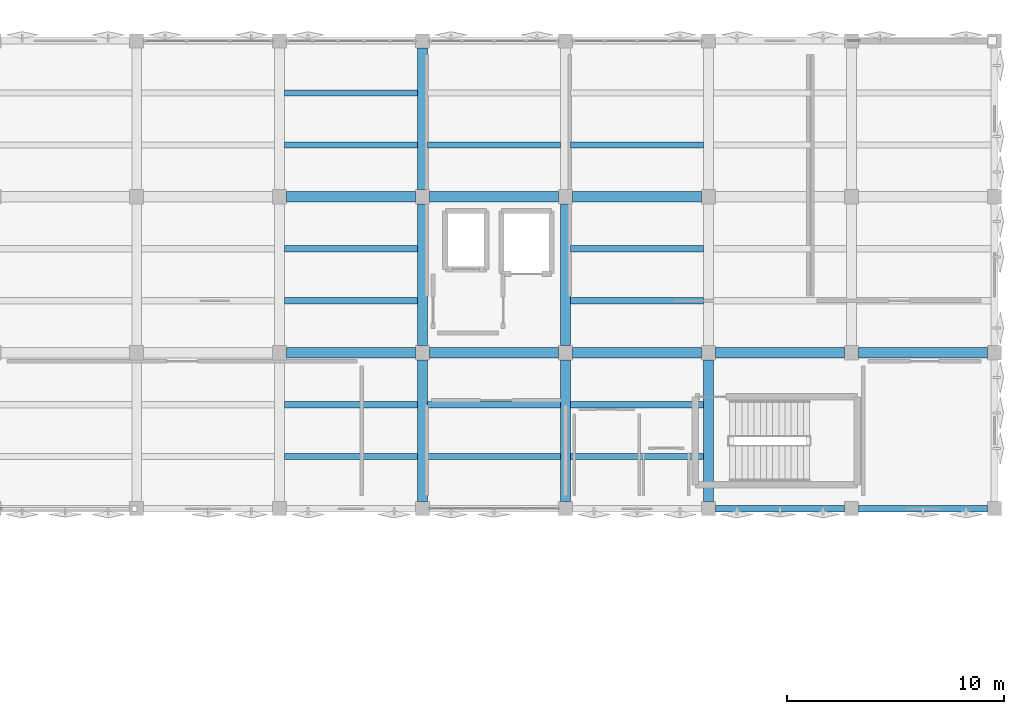
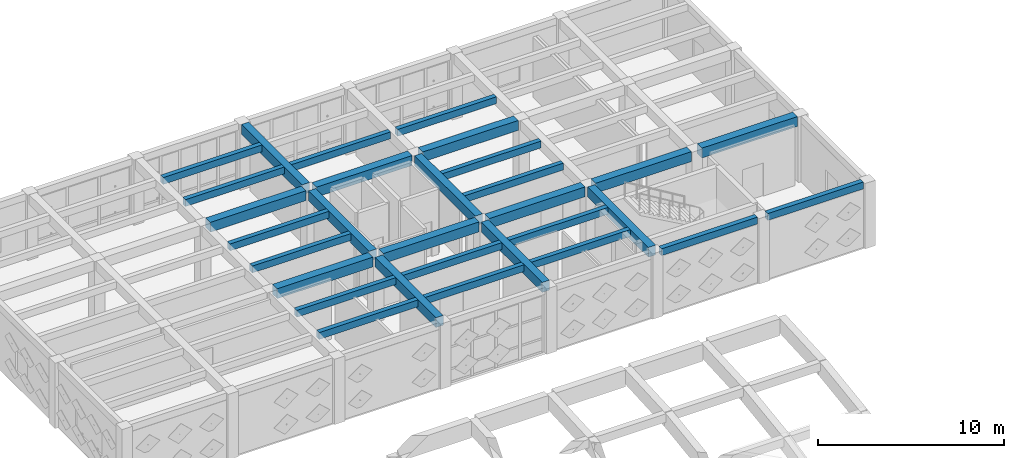
# One storey, part 36 of 67: 30 beams.
"""IFC4 building model written with IfcOpenShell, lengths in metres."""

import ifcopenshell
import ifcopenshell.guid

model = None  # the IFC model being written
_history = None  # IfcOwnerHistory: only IFC2X3 demands one
_inside = {}  # id of a spatial element -> (the spatial element, [elements in it])
_under = {}  # id of a project, library or spatial element -> (it, [spatial elements below it])
_declared = {}  # id of a project -> (the project, [libraries it declares])
_typed = {}  # id of a type object -> (the type object, [elements of that type])
_made_of = {}  # id of a material, layer set ... -> (it, [elements and type objects made of it])


def new_model(schema):
    """Start an empty IFC model of exactly this schema.

    Asked for "IFC4X3", IfcOpenShell would pick the latest addendum, in which some entities
    have other attributes; the version numbers below select the first issue.
    IFC2X3 requires an IfcOwnerHistory on every rooted entity: one is made here for all.
    """
    global model, _history
    if schema == "IFC4X3":
        model = ifcopenshell.file(schema_version=(4, 3, 0, 0))
    else:
        model = ifcopenshell.file(schema=schema)
    _inside.clear()
    _under.clear()
    _declared.clear()
    _typed.clear()
    _made_of.clear()
    _history = None
    if model.schema == "IFC2X3":
        org = make("IfcOrganization", Name="unknown")
        user = make(
            "IfcPersonAndOrganization",
            ThePerson=make("IfcPerson", FamilyName="unknown"),
            TheOrganization=org,
        )
        app = make(
            "IfcApplication",
            ApplicationDeveloper=org,
            Version="unknown",
            ApplicationFullName="unknown",
            ApplicationIdentifier="unknown",
        )
        _history = make(
            "IfcOwnerHistory",
            OwningUser=user,
            OwningApplication=app,
            ChangeAction="ADDED",
            CreationDate=0,
        )
    return model


def make(cls, **values):
    """One entity of the class cls with the attributes given. An attribute that is None is left unset."""
    return model.create_entity(
        cls, **{name: value for name, value in values.items() if value is not None}
    )


def rooted(cls, **values):
    """An entity with a GlobalId (a new one), such as an element, a storey or a relation."""
    return make(cls, GlobalId=ifcopenshell.guid.new(), OwnerHistory=_history, **values)


def si_unit(unit_type, name, prefix=None):
    """IfcSIUnit, for example si_unit("LENGTHUNIT", "METRE", prefix="MILLI")."""
    return make("IfcSIUnit", UnitType=unit_type, Prefix=prefix, Name=name)


def assignment(units):
    """IfcUnitAssignment: the units of a project."""
    return None if units is None else make("IfcUnitAssignment", Units=units)


def point(xyz):
    """IfcCartesianPoint."""
    return None if xyz is None else make("IfcCartesianPoint", Coordinates=xyz)


def direction(xyz):
    """IfcDirection."""
    return None if xyz is None else make("IfcDirection", DirectionRatios=xyz)


def frame(location, z_axis=None, x_axis=None):
    """IfcAxis2Placement3D, a coordinate frame: its origin and axes. An axis left out is left unset."""
    return make(
        "IfcAxis2Placement3D",
        Location=point(location),
        Axis=direction(z_axis),
        RefDirection=direction(x_axis),
    )


def frame_2d(location, x_axis=None):
    """IfcAxis2Placement2D, a coordinate frame in the plane: its origin and x axis."""
    return make(
        "IfcAxis2Placement2D", Location=point(location), RefDirection=direction(x_axis)
    )


def origin():
    """The frame at (0, 0, 0) with its axes left unset."""
    return frame((0.0, 0.0, 0.0))


def origin_2d():
    """The frame at (0, 0) in the plane with its x axis left unset."""
    return frame_2d((0.0, 0.0))


def place(relative_to, where):
    """IfcLocalPlacement: puts the frame where relative to a parent placement (None: the world)."""
    return make(
        "IfcLocalPlacement", PlacementRelTo=relative_to, RelativePlacement=where
    )


def context(
    kind, dimensions, precision=None, world=None, true_north=None, identifier=None
):
    """IfcGeometricRepresentationContext, for example the 3D "Model" context."""
    return make(
        "IfcGeometricRepresentationContext",
        ContextIdentifier=identifier,
        ContextType=kind,
        CoordinateSpaceDimension=dimensions,
        Precision=precision,
        WorldCoordinateSystem=world,
        TrueNorth=true_north,
    )


def subcontext(parent, identifier, kind, view, scale=None):
    """IfcGeometricRepresentationSubContext, for example "Body" below "Model"."""
    return make(
        "IfcGeometricRepresentationSubContext",
        ContextIdentifier=identifier,
        ContextType=kind,
        ParentContext=parent,
        TargetScale=scale,
        TargetView=view,
    )


def project(units=None, contexts=None):
    """IfcProject with its units and contexts."""
    return rooted(
        "IfcProject",
        Name="project",
        RepresentationContexts=contexts,
        UnitsInContext=assignment(units),
    )


def spatial(cls, under=None, at=None, **own):
    """A site, building, storey or space (cls), placed at a placement, below another one or the project."""
    s = rooted(cls, ObjectPlacement=at, **own)
    if under is not None:
        _under.setdefault(under.id(), (under, []))[1].append(s)
    return s


def profile(cls, at=None, kind="AREA", **sizes):
    """A parametric profile (cls). Its sizes go by their IFC names, for example OverallWidth=200.0."""
    return make(cls, ProfileType=kind, Position=at, **sizes)


def rectangle(**sizes):
    """IfcRectangleProfileDef."""
    return profile("IfcRectangleProfileDef", **sizes)


def extrude(swept, where, along, depth):
    """IfcExtrudedAreaSolid: the profile swept, set in the frame where, extruded along a direction by depth."""
    return make(
        "IfcExtrudedAreaSolid",
        SweptArea=swept,
        Position=where,
        ExtrudedDirection=direction(along),
        Depth=depth,
    )


def shape(context_of_items, identifier, shape_type, items):
    """IfcShapeRepresentation: the items that make up one representation, for example the "Body"."""
    return make(
        "IfcShapeRepresentation",
        ContextOfItems=context_of_items,
        RepresentationIdentifier=identifier,
        RepresentationType=shape_type,
        Items=items,
    )


def material(Name=None, Category=None):
    """IfcMaterial."""
    return make("IfcMaterial", Name=Name, Category=Category)


def material_profile(
    of_material, cross_section, Name=None, Category=None, Priority=None
):
    """IfcMaterialProfile: a cross section and its material."""
    return make(
        "IfcMaterialProfile",
        Name=Name,
        Material=of_material,
        Profile=cross_section,
        Priority=Priority,
        Category=Category,
    )


def profile_set(profiles, Name=None, composite=None):
    """IfcMaterialProfileSet."""
    return make(
        "IfcMaterialProfileSet",
        Name=Name,
        MaterialProfiles=profiles,
        CompositeProfile=composite,
    )


def made_of(thing, what):
    """Note that an element or type object is made of a material, layer set ...; save() writes the relation."""
    if what is not None:
        _made_of.setdefault(what.id(), (what, []))[1].append(thing)
    return thing


def type_object(cls, material=None, **own):
    """A type object (cls), such as IfcWallType, which elements share."""
    return made_of(rooted(cls, **own), material)


def element(
    cls,
    number,
    at=None,
    inside=None,
    cuts=None,
    type_object=None,
    material=None,
    context=None,
    identifier="Body",
    shape_type=None,
    held_by="IfcProductDefinitionShape",
    body=None,
    shapes=None,
    **own,
):
    """One element of the class cls, such as IfcWall. Its Tag is "e" and its number.

    at: its placement. inside: the storey or other place that contains it. cuts: it is an
    opening in that element (IfcRelVoidsElement). A single representation is given by context,
    identifier, shape_type and body (its items); several are given by shapes. held_by: the class
    of the entity that holds the representations. save() writes the other relations.
    """
    e = rooted(cls, Tag="e%d" % number, ObjectPlacement=at, **own)
    if body is not None:
        shapes = [shape(context, identifier, shape_type, body)]
    if shapes is not None:
        e.Representation = make(held_by, Representations=shapes)
    if inside is not None:
        _inside.setdefault(inside.id(), (inside, []))[1].append(e)
    if cuts is not None:
        rooted(
            "IfcRelVoidsElement", RelatingBuildingElement=cuts, RelatedOpeningElement=e
        )
    if type_object is not None:
        _typed.setdefault(type_object.id(), (type_object, []))[1].append(e)
    return made_of(e, material)


def aggregate(whole, parts):
    """IfcRelAggregates: a whole, such as a stair, and the parts it consists of."""
    return rooted("IfcRelAggregates", RelatingObject=whole, RelatedObjects=parts)


def save(model, path):
    """Write the relations noted so far, then the file.

    IfcRelAggregates (storeys below a building ...), IfcRelContainedInSpatialStructure (elements
    in a storey), IfcRelDefinesByType, IfcRelAssociatesMaterial and IfcRelDeclares: one each for
    every whole, place, type object, material and project.
    """
    for whole, parts in _under.values():
        aggregate(whole, parts)
    for where, things in _inside.values():
        rooted(
            "IfcRelContainedInSpatialStructure",
            RelatedElements=things,
            RelatingStructure=where,
        )
    for kind, things in _typed.values():
        rooted("IfcRelDefinesByType", RelatedObjects=things, RelatingType=kind)
    for what, things in _made_of.values():
        rooted("IfcRelAssociatesMaterial", RelatedObjects=things, RelatingMaterial=what)
    for by, libraries in _declared.values():
        rooted("IfcRelDeclares", RelatingContext=by, RelatedDefinitions=libraries)
    model.write(path)


model = new_model("IFC4")

# Units and contexts
model_context = context("Model", 3, precision=1e-05, world=origin(), true_north=direction((0.0, 1.0)))
body_context = subcontext(model_context, "Body", "Model", "MODEL_VIEW")
ifc_project = project(units=[si_unit("LENGTHUNIT", "METRE"), si_unit("AREAUNIT", "SQUARE_METRE"), si_unit("VOLUMEUNIT", "CUBIC_METRE"), si_unit("PLANEANGLEUNIT", "RADIAN"), si_unit("MASSUNIT", "GRAM", prefix="KILO")], contexts=[model_context])

# Site, building, storey
site_placement = place(None, origin())
site = spatial("IfcSite", under=ifc_project, at=site_placement, CompositionType="ELEMENT")
building_placement = place(site_placement, origin())
building = spatial("IfcBuilding", under=site, at=building_placement, Name="Kharisveld Research Institute", CompositionType="ELEMENT")
storey_placement = place(building_placement, frame((0.0, 0.0, 9.60009765625)))
storey = spatial("IfcBuildingStorey", under=building, at=storey_placement, Name="L02", CompositionType="ELEMENT", Elevation=9.60009765625)

# Beams
ifc_material_1 = material(Name="Concrete C40/50", Category="concrete")
ifc_material_profile_1 = material_profile(ifc_material_1, rectangle(XDim=0.449951171875, YDim=0.64990234375, at=origin_2d()))
ifc_profile_set_1 = profile_set([ifc_material_profile_1], Name="Concrete C40/50")
beam_type_1 = type_object("IfcBeamType", Name="BM_RC_450x650", PredefinedType="BEAM", material=ifc_profile_set_1)
beam_1_placement = place(storey_placement, frame((134.39990234375, 39.52490234375, 3.974853515625), z_axis=(0.0, 1.0, 0.0), x_axis=(-1.0, 0.0, 0.0)))
element("IfcBeam", 1, at=beam_1_placement, inside=storey, type_object=beam_type_1, Name="BM:V2:L02:V3_0", PredefinedType="BEAM", context=body_context, shape_type="SweptSolid", body=[
    extrude(rectangle(XDim=0.449951171875, YDim=0.64990234375, at=origin_2d()), origin(), (0.0, 0.0, 1.0), 6.550048828125),
])
beam_2_placement = place(storey_placement, frame((134.39990234375, 46.72509765625, 3.974853515625), z_axis=(0.0, 1.0, 0.0), x_axis=(-1.0, 0.0, 0.0)))
element("IfcBeam", 2, at=beam_2_placement, inside=storey, type_object=beam_type_1, Name="BM:V2:L02:V3_1", PredefinedType="BEAM", context=body_context, shape_type="SweptSolid", body=[
    extrude(rectangle(XDim=0.449951171875, YDim=0.64990234375, at=origin_2d()), origin(), (0.0, 0.0, 1.0), 6.5498046875),
])
for number, where, z_axis, x_axis, name in (
    (3, (134.39990234375, 53.925048828125, 3.974853515625), (0.0, 1.0, 0.0), (-1.0, 0.0, 0.0), "BM:V2:L02:V3_2"),
    (4, (141.0, 39.52490234375, 3.974853515625), (0.0, 1.0, 0.0), (-1.0, 0.0, 0.0), "BM:V2:L02:V4_0"),
):
    element("IfcBeam", number, at=place(storey_placement, frame(where, z_axis=z_axis, x_axis=x_axis)), inside=storey, type_object=beam_type_1, Name=name, PredefinedType="BEAM", context=body_context, shape_type="SweptSolid", body=[
        extrude(rectangle(XDim=0.449951171875, YDim=0.64990234375, at=origin_2d()), origin(), (0.0, 0.0, 1.0), 6.550048828125),
    ])
beam_3_placement = place(storey_placement, frame((141.0, 46.72509765625, 3.974853515625), z_axis=(0.0, 1.0, 0.0), x_axis=(-1.0, 0.0, 0.0)))
element("IfcBeam", 5, at=beam_3_placement, inside=storey, type_object=beam_type_1, Name="BM:V2:L02:V4_1", PredefinedType="BEAM", context=body_context, shape_type="SweptSolid", body=[
    extrude(rectangle(XDim=0.449951171875, YDim=0.64990234375, at=origin_2d()), origin(), (0.0, 0.0, 1.0), 6.5498046875),
])
beam_4_placement = place(storey_placement, frame((147.60009765625, 39.52490234375, 3.974853515625), z_axis=(0.0, 1.0, 0.0), x_axis=(-1.0, 0.0, 0.0)))
element("IfcBeam", 6, at=beam_4_placement, inside=storey, type_object=beam_type_1, Name="BM:V2:L02:V5_0", PredefinedType="BEAM", context=body_context, shape_type="SweptSolid", body=[
    extrude(rectangle(XDim=0.449951171875, YDim=0.64990234375, at=origin_2d()), origin(), (0.0, 0.0, 1.0), 6.550048828125),
])
ifc_material_2 = material(Name="Concrete C40/50", Category="concrete")
ifc_material_profile_2 = material_profile(ifc_material_2, rectangle(XDim=0.5, YDim=0.64990234375, at=origin_2d()))
ifc_profile_set_2 = profile_set([ifc_material_profile_2], Name="Concrete C40/50")
beam_type_2 = type_object("IfcBeamType", Name="BM_RC_500x650", PredefinedType="BEAM", material=ifc_profile_set_2)
for number, where, z_axis, x_axis, name in (
    (7, (128.125, 46.39990234375, 3.974853515625), (1.0, 0.0, 0.0), (0.0, 1.0, 0.0), "BM:V2:L02:U2_1"),
    (8, (134.72509765625, 46.39990234375, 3.974853515625), (1.0, 0.0, 0.0), (0.0, 1.0, 0.0), "BM:V2:L02:U3_1"),
    (9, (141.324951171875, 46.39990234375, 3.974853515625), (1.0, 0.0, 0.0), (0.0, 1.0, 0.0), "BM:V2:L02:U4_1"),
    (10, (147.925048828125, 46.39990234375, 3.974853515625), (1.0, 0.0, 0.0), (0.0, 1.0, 0.0), "BM:V2:L02:U5_1"),
):
    element("IfcBeam", number, at=place(storey_placement, frame(where, z_axis=z_axis, x_axis=x_axis)), inside=storey, type_object=beam_type_2, Name=name, PredefinedType="BEAM", context=body_context, shape_type="SweptSolid", body=[
        extrude(rectangle(XDim=0.5, YDim=0.64990234375, at=origin_2d()), origin(), (0.0, 0.0, 1.0), 5.949951171875),
    ])
beam_5_placement = place(storey_placement, frame((154.52490234375, 46.39990234375, 3.974853515625), z_axis=(1.0, 0.0, 0.0), x_axis=(0.0, 1.0, 0.0)))
element("IfcBeam", 11, at=beam_5_placement, inside=storey, type_object=beam_type_2, Name="BM:V2:L02:U6_1", PredefinedType="BEAM", context=body_context, shape_type="SweptSolid", body=[
    extrude(rectangle(XDim=0.5, YDim=0.64990234375, at=origin_2d()), origin(), (0.0, 0.0, 1.0), 5.9501953125),
])
for number, where, z_axis, x_axis, name in (
    (12, (128.125, 53.60009765625, 3.974853515625), (1.0, 0.0, 0.0), (0.0, 1.0, 0.0), "BM:V2:L02:U2_2"),
    (13, (134.72509765625, 53.60009765625, 3.974853515625), (1.0, 0.0, 0.0), (0.0, 1.0, 0.0), "BM:V2:L02:U3_2"),
    (14, (141.324951171875, 53.60009765625, 3.974853515625), (1.0, 0.0, 0.0), (0.0, 1.0, 0.0), "BM:V2:L02:U4_2"),
):
    element("IfcBeam", number, at=place(storey_placement, frame(where, z_axis=z_axis, x_axis=x_axis)), inside=storey, type_object=beam_type_2, Name=name, PredefinedType="BEAM", context=body_context, shape_type="SweptSolid", body=[
        extrude(rectangle(XDim=0.5, YDim=0.64990234375, at=origin_2d()), origin(), (0.0, 0.0, 1.0), 5.949951171875),
    ])
ifc_material_3 = material(Name="Concrete C40/50", Category="concrete")
ifc_material_profile_3 = material_profile(ifc_material_3, rectangle(XDim=0.300048828125, YDim=0.449951171875, at=origin_2d()))
ifc_profile_set_3 = profile_set([ifc_material_profile_3], Name="Concrete C40/50")
beam_type_3 = type_object("IfcBeamType", Name="SP_RC_300x450", PredefinedType="SPANDREL", material=ifc_profile_set_3)
beam_6_placement = place(storey_placement, frame((147.925048828125, 39.199951171875, 4.074951171875), z_axis=(1.0, 0.0, 0.0), x_axis=(0.0, 1.0, 0.0)))
element("IfcBeam", 15, at=beam_6_placement, inside=storey, type_object=beam_type_3, Name="BM:V2:L02:U5_0", PredefinedType="SPANDREL", context=body_context, shape_type="SweptSolid", body=[
    extrude(rectangle(XDim=0.300048828125, YDim=0.449951171875, at=origin_2d()), origin(), (0.0, 0.0, 1.0), 5.949951171875),
])
beam_7_placement = place(storey_placement, frame((154.52490234375, 39.199951171875, 4.074951171875), z_axis=(1.0, 0.0, 0.0), x_axis=(0.0, 1.0, 0.0)))
element("IfcBeam", 16, at=beam_7_placement, inside=storey, type_object=beam_type_3, Name="BM:V2:L02:U6_0", PredefinedType="SPANDREL", context=body_context, shape_type="SweptSolid", body=[
    extrude(rectangle(XDim=0.300048828125, YDim=0.449951171875, at=origin_2d()), origin(), (0.0, 0.0, 1.0), 5.9501953125),
])
ifc_material_4 = material(Name="Concrete C40/50", Category="concrete")
ifc_material_profile_4 = material_profile(ifc_material_4, rectangle(XDim=0.280029296875, YDim=0.449951171875, at=origin_2d()))
ifc_profile_set_4 = profile_set([ifc_material_profile_4], Name="Concrete C40/50")
beam_type_4 = type_object("IfcBeamType", Name="WB_RC_280x450", PredefinedType="JOIST", material=ifc_profile_set_4)
for number, where, z_axis, x_axis, name in (
    (17, (128.02490234375, 41.60009765625, 4.074951171875), (1.0, 0.0, 0.0), (0.0, 1.0, 0.0), "BM:V2:L02:J_2_0_R1"),
    (18, (128.02490234375, 44.0, 4.074951171875), (1.0, 0.0, 0.0), (0.0, 1.0, 0.0), "BM:V2:L02:J_2_0_R2"),
    (19, (128.02490234375, 48.800048828125, 4.074951171875), (1.0, 0.0, 0.0), (0.0, 1.0, 0.0), "BM:V2:L02:J_2_1_R1"),
    (20, (128.02490234375, 51.199951171875, 4.074951171875), (1.0, 0.0, 0.0), (0.0, 1.0, 0.0), "BM:V2:L02:J_2_1_R2"),
    (21, (128.02490234375, 56.0, 4.074951171875), (1.0, 0.0, 0.0), (0.0, 1.0, 0.0), "BM:V2:L02:J_2_2_R1"),
    (22, (128.02490234375, 58.39990234375, 4.074951171875), (1.0, 0.0, 0.0), (0.0, 1.0, 0.0), "BM:V2:L02:J_2_2_R2"),
):
    element("IfcBeam", number, at=place(storey_placement, frame(where, z_axis=z_axis, x_axis=x_axis)), inside=storey, type_object=beam_type_4, Name=name, PredefinedType="JOIST", context=body_context, shape_type="SweptSolid", body=[
        extrude(rectangle(XDim=0.280029296875, YDim=0.449951171875, at=origin_2d()), origin(), (0.0, 0.0, 1.0), 6.150146484375),
    ])
for number, where, z_axis, x_axis, name in (
    (23, (134.625, 41.60009765625, 4.074951171875), (1.0, 0.0, 0.0), (0.0, 1.0, 0.0), "BM:V2:L02:J_3_0_R1"),
    (24, (134.625, 44.0, 4.074951171875), (1.0, 0.0, 0.0), (0.0, 1.0, 0.0), "BM:V2:L02:J_3_0_R2"),
    (25, (134.625, 56.0, 4.074951171875), (1.0, 0.0, 0.0), (0.0, 1.0, 0.0), "BM:V2:L02:J_3_2_R1"),
    (26, (141.22509765625, 41.60009765625, 4.074951171875), (1.0, 0.0, 0.0), (0.0, 1.0, 0.0), "BM:V2:L02:J_4_0_R1"),
    (27, (141.22509765625, 44.0, 4.074951171875), (1.0, 0.0, 0.0), (0.0, 1.0, 0.0), "BM:V2:L02:J_4_0_R2"),
    (28, (141.22509765625, 48.800048828125, 4.074951171875), (1.0, 0.0, 0.0), (0.0, 1.0, 0.0), "BM:V2:L02:J_4_1_R1"),
    (29, (141.22509765625, 51.199951171875, 4.074951171875), (1.0, 0.0, 0.0), (0.0, 1.0, 0.0), "BM:V2:L02:J_4_1_R2"),
    (30, (141.22509765625, 56.0, 4.074951171875), (1.0, 0.0, 0.0), (0.0, 1.0, 0.0), "BM:V2:L02:J_4_2_R1"),
):
    element("IfcBeam", number, at=place(storey_placement, frame(where, z_axis=z_axis, x_axis=x_axis)), inside=storey, type_object=beam_type_4, Name=name, PredefinedType="JOIST", context=body_context, shape_type="SweptSolid", body=[
        extrude(rectangle(XDim=0.280029296875, YDim=0.449951171875, at=origin_2d()), origin(), (0.0, 0.0, 1.0), 6.14990234375),
    ])

save(model, "model.ifc")
